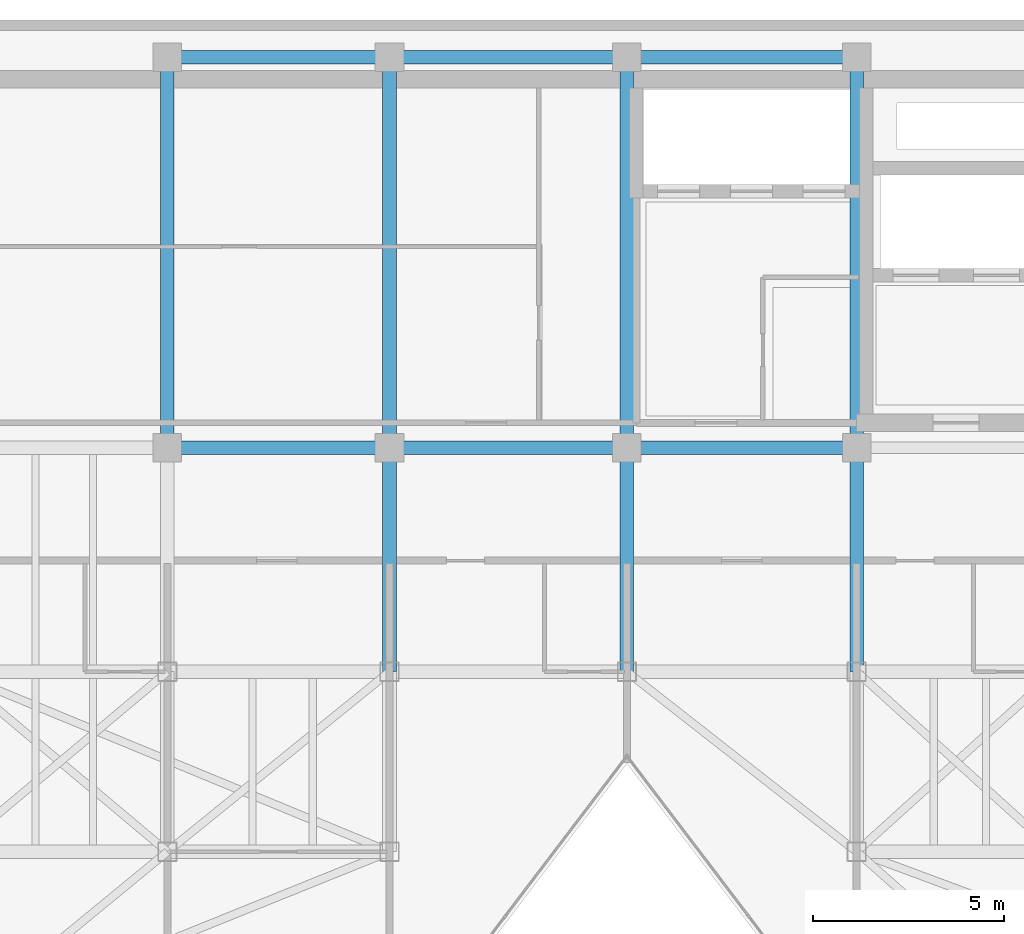
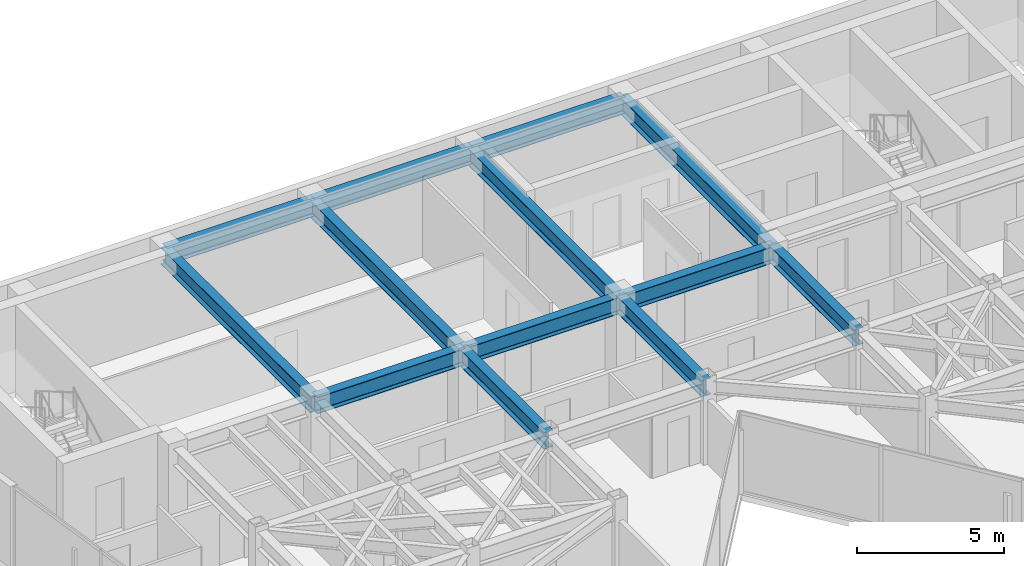
# One storey, part 11 of 20: 13 beams.
"""IFC4 building model written with IfcOpenShell, lengths in metres."""

from ifc_helpers import new_model, si_unit, direction, frame, origin, origin_2d, place, context, subcontext, project, spatial, i_section, extrude, material, material_profile, profile_set, type_object, element, save


model = new_model("IFC4")

# Units and contexts
model_context = context("Model", 3, precision=1e-05, world=origin(), true_north=direction((0.0, 1.0)))
body_context = subcontext(model_context, "Body", "Model", "MODEL_VIEW")
ifc_project = project(units=[si_unit("LENGTHUNIT", "METRE"), si_unit("AREAUNIT", "SQUARE_METRE"), si_unit("VOLUMEUNIT", "CUBIC_METRE"), si_unit("PLANEANGLEUNIT", "RADIAN"), si_unit("MASSUNIT", "GRAM", prefix="KILO")], contexts=[model_context])

# Site, building, storey
site_placement = place(None, origin())
site = spatial("IfcSite", under=ifc_project, at=site_placement, CompositionType="ELEMENT")
building_placement = place(site_placement, origin())
building = spatial("IfcBuilding", under=site, at=building_placement, Name="Kravanh Interchange Tower", CompositionType="ELEMENT")
storey_placement = place(building_placement, frame((0.0, 0.0, 234.60009765625)))
storey = spatial("IfcBuildingStorey", under=building, at=storey_placement, Name="L56", CompositionType="ELEMENT", Elevation=234.60009765625)

# Beams
ifc_material = material(Name="Structural Steel S355", Category="steel")
ifc_material_profile = material_profile(ifc_material, i_section(OverallWidth=0.35498046875, OverallDepth=0.696044921875, WebThickness=0.015380859375, FlangeThickness=0.02490234375, FilletRadius=0.02392578125, at=origin_2d()), Name="W27X146")
ifc_profile_set = profile_set([ifc_material_profile], Name="Structural Steel S355")
beam_type = type_object("IfcBeamType", Name="Floor Beam W27X146 Structural Steel S355", PredefinedType="BEAM", material=ifc_profile_set)
for number, where, z_axis, x_axis, name in (
    (1, (44.800048828125, 31.5, 3.011962890625), (0.0, 1.0, 0.0), (-1.0, 0.0, 0.0), "L56 Primary Floor Girder 1"),
    (2, (50.800048828125, 31.5, 3.011962890625), (0.0, 1.0, 0.0), (-1.0, 0.0, 0.0), "L56 Primary Floor Girder 7"),
    (3, (38.60009765625, 31.5, 3.011962890625), (0.0, 1.0, 0.0), (-1.0, 0.0, 0.0), "L56 Primary Floor Girder 19"),
):
    element("IfcBeam", number, at=place(storey_placement, frame(where, z_axis=z_axis, x_axis=x_axis)), inside=storey, type_object=beam_type, Name=name, PredefinedType="BEAM", context=body_context, shape_type="SweptSolid", body=[
        extrude(i_section(OverallWidth=0.35498046875, OverallDepth=0.696044921875, WebThickness=0.015380859375, FlangeThickness=0.02490234375, FilletRadius=0.02392578125, at=origin_2d()), origin(), (0.0, 0.0, 1.0), 5.85009765625),
    ])
beam_1_placement = place(storey_placement, frame((50.800048828125, 47.550048828125, 3.011962890625), z_axis=(-1.0, 0.0, 0.0), x_axis=(0.0, -1.0, 0.0)))
element("IfcBeam", 4, at=beam_1_placement, inside=storey, type_object=beam_type, Name="L56 Primary Floor Girder 49", PredefinedType="BEAM", context=body_context, shape_type="SweptSolid", body=[
    extrude(i_section(OverallWidth=0.35498046875, OverallDepth=0.696044921875, WebThickness=0.015380859375, FlangeThickness=0.02490234375, FilletRadius=0.02392578125, at=origin_2d()), origin(), (0.0, 0.0, 1.0), 6.0),
])
beam_2_placement = place(storey_placement, frame((50.800048828125, 47.550048828125, 3.011962890625), z_axis=(0.0, -1.0, 0.0), x_axis=(1.0, 0.0, 0.0)))
element("IfcBeam", 5, at=beam_2_placement, inside=storey, type_object=beam_type, Name="L56 Primary Floor Girder 50", PredefinedType="BEAM", context=body_context, shape_type="SweptSolid", body=[
    extrude(i_section(OverallWidth=0.35498046875, OverallDepth=0.696044921875, WebThickness=0.015380859375, FlangeThickness=0.02490234375, FilletRadius=0.02392578125, at=origin_2d()), origin(), (0.0, 0.0, 1.0), 10.199951171875),
])
beam_3_placement = place(storey_placement, frame((50.800048828125, 37.35009765625, 3.011962890625), z_axis=(-1.0, 0.0, 0.0), x_axis=(0.0, -1.0, 0.0)))
element("IfcBeam", 6, at=beam_3_placement, inside=storey, type_object=beam_type, Name="L56 Primary Floor Girder 51", PredefinedType="BEAM", context=body_context, shape_type="SweptSolid", body=[
    extrude(i_section(OverallWidth=0.35498046875, OverallDepth=0.696044921875, WebThickness=0.015380859375, FlangeThickness=0.02490234375, FilletRadius=0.02392578125, at=origin_2d()), origin(), (0.0, 0.0, 1.0), 6.0),
])
beam_4_placement = place(storey_placement, frame((44.800048828125, 37.35009765625, 3.011962890625), z_axis=(-1.0, 0.0, 0.0), x_axis=(0.0, -1.0, 0.0)))
element("IfcBeam", 7, at=beam_4_placement, inside=storey, type_object=beam_type, Name="L56 Primary Floor Girder 52", PredefinedType="BEAM", context=body_context, shape_type="SweptSolid", body=[
    extrude(i_section(OverallWidth=0.35498046875, OverallDepth=0.696044921875, WebThickness=0.015380859375, FlangeThickness=0.02490234375, FilletRadius=0.02392578125, at=origin_2d()), origin(), (0.0, 0.0, 1.0), 6.199951171875),
])
beam_5_placement = place(storey_placement, frame((44.800048828125, 37.35009765625, 3.011962890625), z_axis=(0.0, 1.0, 0.0), x_axis=(-1.0, 0.0, 0.0)))
element("IfcBeam", 8, at=beam_5_placement, inside=storey, type_object=beam_type, Name="L56 Primary Floor Girder 53", PredefinedType="BEAM", context=body_context, shape_type="SweptSolid", body=[
    extrude(i_section(OverallWidth=0.35498046875, OverallDepth=0.696044921875, WebThickness=0.015380859375, FlangeThickness=0.02490234375, FilletRadius=0.02392578125, at=origin_2d()), origin(), (0.0, 0.0, 1.0), 10.199951171875),
])
beam_6_placement = place(storey_placement, frame((44.800048828125, 47.550048828125, 3.011962890625), z_axis=(-1.0, 0.0, 0.0), x_axis=(0.0, -1.0, 0.0)))
element("IfcBeam", 9, at=beam_6_placement, inside=storey, type_object=beam_type, Name="L56 Primary Floor Girder 54", PredefinedType="BEAM", context=body_context, shape_type="SweptSolid", body=[
    extrude(i_section(OverallWidth=0.35498046875, OverallDepth=0.696044921875, WebThickness=0.015380859375, FlangeThickness=0.02490234375, FilletRadius=0.02392578125, at=origin_2d()), origin(), (0.0, 0.0, 1.0), 6.199951171875),
])
beam_7_placement = place(storey_placement, frame((38.60009765625, 37.35009765625, 3.011962890625), z_axis=(-1.0, 0.0, 0.0), x_axis=(0.0, -1.0, 0.0)))
element("IfcBeam", 10, at=beam_7_placement, inside=storey, type_object=beam_type, Name="L56 Primary Floor Girder 55", PredefinedType="BEAM", context=body_context, shape_type="SweptSolid", body=[
    extrude(i_section(OverallWidth=0.35498046875, OverallDepth=0.696044921875, WebThickness=0.015380859375, FlangeThickness=0.02490234375, FilletRadius=0.02392578125, at=origin_2d()), origin(), (0.0, 0.0, 1.0), 5.800048828125),
])
beam_8_placement = place(storey_placement, frame((38.60009765625, 37.35009765625, 3.011962890625), z_axis=(0.0, 1.0, 0.0), x_axis=(-1.0, 0.0, 0.0)))
element("IfcBeam", 11, at=beam_8_placement, inside=storey, type_object=beam_type, Name="L56 Primary Floor Girder 56", PredefinedType="BEAM", context=body_context, shape_type="SweptSolid", body=[
    extrude(i_section(OverallWidth=0.35498046875, OverallDepth=0.696044921875, WebThickness=0.015380859375, FlangeThickness=0.02490234375, FilletRadius=0.02392578125, at=origin_2d()), origin(), (0.0, 0.0, 1.0), 10.199951171875),
])
beam_9_placement = place(storey_placement, frame((38.60009765625, 47.550048828125, 3.011962890625), z_axis=(-1.0, 0.0, 0.0), x_axis=(0.0, -1.0, 0.0)))
element("IfcBeam", 12, at=beam_9_placement, inside=storey, type_object=beam_type, Name="L56 Primary Floor Girder 57", PredefinedType="BEAM", context=body_context, shape_type="SweptSolid", body=[
    extrude(i_section(OverallWidth=0.35498046875, OverallDepth=0.696044921875, WebThickness=0.015380859375, FlangeThickness=0.02490234375, FilletRadius=0.02392578125, at=origin_2d()), origin(), (0.0, 0.0, 1.0), 5.800048828125),
])
beam_10_placement = place(storey_placement, frame((32.800048828125, 37.35009765625, 3.011962890625), z_axis=(0.0, 1.0, 0.0), x_axis=(-1.0, 0.0, 0.0)))
element("IfcBeam", 13, at=beam_10_placement, inside=storey, type_object=beam_type, Name="L56 Primary Floor Girder 59", PredefinedType="BEAM", context=body_context, shape_type="SweptSolid", body=[
    extrude(i_section(OverallWidth=0.35498046875, OverallDepth=0.696044921875, WebThickness=0.015380859375, FlangeThickness=0.02490234375, FilletRadius=0.02392578125, at=origin_2d()), origin(), (0.0, 0.0, 1.0), 10.199951171875),
])

save(model, "model.ifc")
